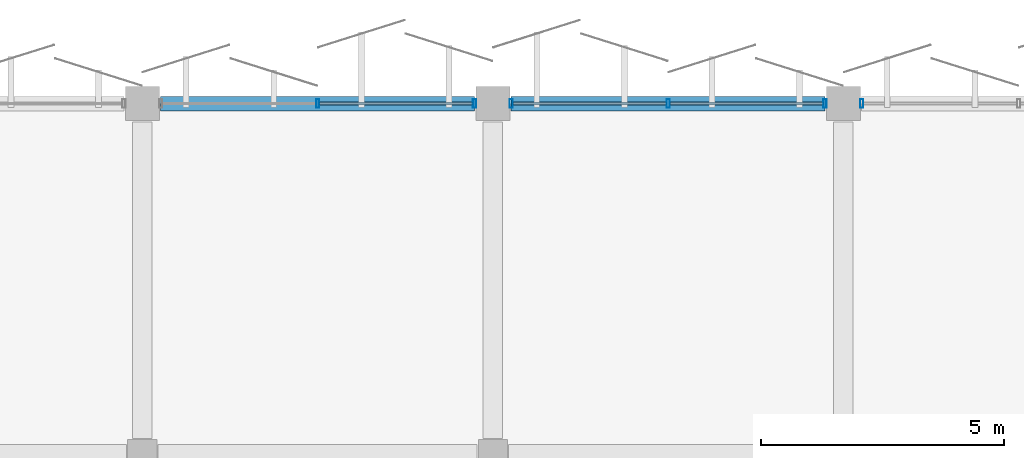
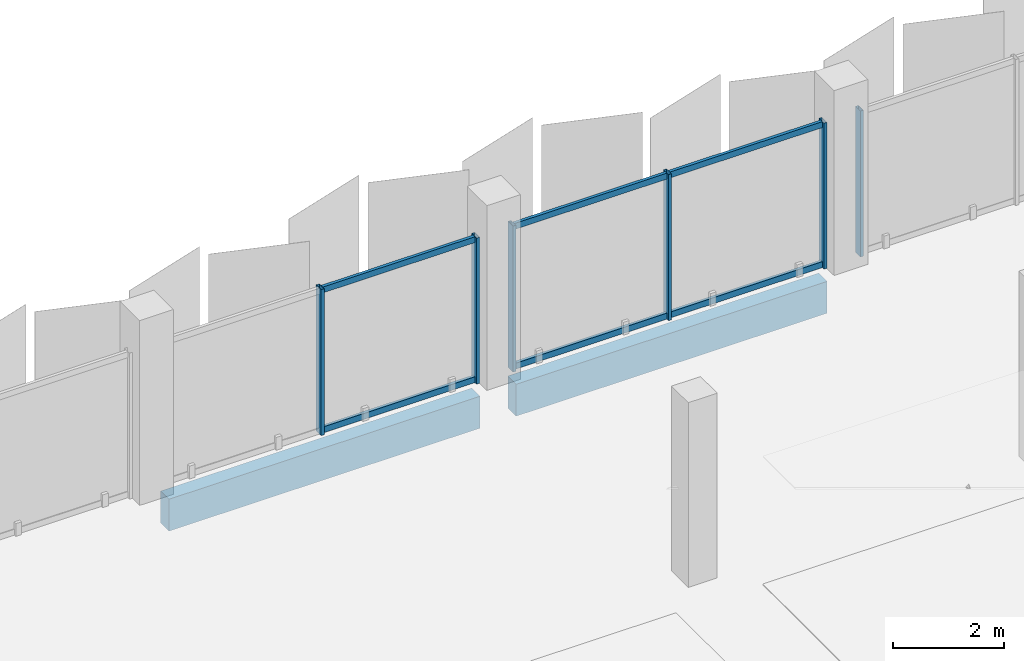
# One storey, part 51 of 107: 12 members, 2 beams, 3 elements without a shape of their own.
"""IFC4 building model written with IfcOpenShell, lengths in metres."""

from ifc_helpers import new_model, si_unit, direction, frame, origin, origin_2d, place, context, subcontext, project, spatial, rectangle, hollow_rectangle, extrude, material, layer, layer_set, material_profile, profile_set, type_object, element, aggregate, save


model = new_model("IFC4")

# Units and contexts
model_context = context("Model", 3, precision=1e-05, world=origin(), true_north=direction((0.0, 1.0)))
body_context = subcontext(model_context, "Body", "Model", "MODEL_VIEW")
ifc_project = project(units=[si_unit("LENGTHUNIT", "METRE"), si_unit("AREAUNIT", "SQUARE_METRE"), si_unit("VOLUMEUNIT", "CUBIC_METRE"), si_unit("PLANEANGLEUNIT", "RADIAN"), si_unit("MASSUNIT", "GRAM", prefix="KILO")], contexts=[model_context])

# Site, building, storey
site_placement = place(None, origin())
site = spatial("IfcSite", under=ifc_project, at=site_placement, CompositionType="ELEMENT")
building_placement = place(site_placement, origin())
building = spatial("IfcBuilding", under=site, at=building_placement, Name="Kangsadwip Square Police Headquarters", CompositionType="ELEMENT")
storey_placement = place(building_placement, frame((0.0, 0.0, 5.39990234375)))
storey = spatial("IfcBuildingStorey", under=building, at=storey_placement, Name="L01", CompositionType="ELEMENT", Elevation=5.39990234375)

# Curtain wall, members
ifc_material_1 = material(Name="Thermally broken anodised aluminium AW-6063-T6", Category="aluminium")
ifc_layer = layer(ifc_material_1, 0.159912109375)
ifc_layer_set = layer_set([ifc_layer], Name="Thermally broken anodised aluminium AW-6063-T6")
curtain_wall_type = type_object("IfcCurtainWallType", Name="UnitisedCw6510x3200", PredefinedType="NOTDEFINED", material=ifc_layer_set)
curtain_wall_1_placement = place(storey_placement, origin())
curtain_wall_1 = element("IfcCurtainWall", 1, at=curtain_wall_1_placement, inside=storey, type_object=curtain_wall_type, Name="Curtain Wall CW-L01-1083-1152", PredefinedType="NOTDEFINED")
ifc_material_2 = material(Name="Thermally broken anodised aluminium AW-6063-T6", Category="aluminium")
ifc_material_profile_1 = material_profile(ifc_material_2, hollow_rectangle(XDim=0.06494140625, YDim=0.179931640625, WallThickness=0.00390625, at=origin_2d()), Name="CWM 180X65X4")
ifc_profile_set_1 = profile_set([ifc_material_profile_1], Name="Thermally broken anodised aluminium AW-6063-T6")
member_type_1 = type_object("IfcMemberType", Name="CwMullion160x65", PredefinedType="MULLION", material=ifc_profile_set_1)
member_1_placement = place(storey_placement, frame((111.60009765625, 115.199951171875, 0.0), z_axis=(0.0, 0.0, 1.0), x_axis=(1.0, 0.0, 0.0)))
member_1 = element("IfcMember", 2, at=member_1_placement, type_object=member_type_1, Name="CW-24 mullion 2", PredefinedType="MULLION", context=body_context, shape_type="SweptSolid", body=[
    extrude(hollow_rectangle(XDim=0.06494140625, YDim=0.179931640625, WallThickness=0.00390625, at=origin_2d()), origin(), (0.0, 0.0, 1.0), 3.2001953125),
])
member_2_placement = place(storey_placement, frame((114.822509765625, 115.199951171875, 0.0), z_axis=(0.0, 0.0, 1.0), x_axis=(1.0, 0.0, 0.0)))
member_2 = element("IfcMember", 3, at=member_2_placement, type_object=member_type_1, Name="CW-24 mullion 3", PredefinedType="MULLION", context=body_context, shape_type="SweptSolid", body=[
    extrude(hollow_rectangle(XDim=0.06494140625, YDim=0.179931640625, WallThickness=0.00390625, at=origin_2d()), origin(), (0.0, 0.0, 1.0), 3.2001953125),
])

curtain_wall_2_placement = place(storey_placement, origin())
curtain_wall_2 = element("IfcCurtainWall", 4, at=curtain_wall_2_placement, inside=storey, type_object=curtain_wall_type, Name="Curtain Wall CW-L01-1155-1152", PredefinedType="NOTDEFINED")
member_3_placement = place(storey_placement, frame((115.577392578125, 115.199951171875, 0.0), z_axis=(0.0, 0.0, 1.0), x_axis=(1.0, 0.0, 0.0)))
member_3 = element("IfcMember", 5, at=member_3_placement, type_object=member_type_1, Name="CW-24 mullion 1", PredefinedType="MULLION", context=body_context, shape_type="SweptSolid", body=[
    extrude(hollow_rectangle(XDim=0.06494140625, YDim=0.179931640625, WallThickness=0.00390625, at=origin_2d()), origin(), (0.0, 0.0, 1.0), 3.2001953125),
])
member_4_placement = place(storey_placement, frame((118.800048828125, 115.199951171875, 0.0), z_axis=(0.0, 0.0, 1.0), x_axis=(1.0, 0.0, 0.0)))
member_4 = element("IfcMember", 6, at=member_4_placement, type_object=member_type_1, Name="CW-24 mullion 2", PredefinedType="MULLION", context=body_context, shape_type="SweptSolid", body=[
    extrude(hollow_rectangle(XDim=0.06494140625, YDim=0.179931640625, WallThickness=0.00390625, at=origin_2d()), origin(), (0.0, 0.0, 1.0), 3.2001953125),
])
member_5_placement = place(storey_placement, frame((122.0224609375, 115.199951171875, 0.0), z_axis=(0.0, 0.0, 1.0), x_axis=(1.0, 0.0, 0.0)))
member_5 = element("IfcMember", 7, at=member_5_placement, type_object=member_type_1, Name="CW-24 mullion 3", PredefinedType="MULLION", context=body_context, shape_type="SweptSolid", body=[
    extrude(hollow_rectangle(XDim=0.06494140625, YDim=0.179931640625, WallThickness=0.00390625, at=origin_2d()), origin(), (0.0, 0.0, 1.0), 3.2001953125),
])

# Curtain wall, member
curtain_wall_3_placement = place(storey_placement, origin())
curtain_wall_3 = element("IfcCurtainWall", 8, at=curtain_wall_3_placement, inside=storey, type_object=curtain_wall_type, Name="Curtain Wall CW-L01-1227-1152", PredefinedType="NOTDEFINED")
member_6_placement = place(storey_placement, frame((122.777587890625, 115.199951171875, 0.0), z_axis=(0.0, 0.0, 1.0), x_axis=(1.0, 0.0, 0.0)))
member_6 = element("IfcMember", 9, at=member_6_placement, type_object=member_type_1, Name="CW-24 mullion 1", PredefinedType="MULLION", context=body_context, shape_type="SweptSolid", body=[
    extrude(hollow_rectangle(XDim=0.06494140625, YDim=0.179931640625, WallThickness=0.00390625, at=origin_2d()), origin(), (0.0, 0.0, 1.0), 3.2001953125),
])
aggregate(curtain_wall_3, [member_6])

# Member
ifc_material_3 = material(Name="Thermally broken anodised aluminium AW-6063-T6", Category="aluminium")
ifc_material_profile_2 = material_profile(ifc_material_3, hollow_rectangle(XDim=0.06494140625, YDim=0.1298828125, WallThickness=0.00390625, at=origin_2d()), Name="CWT 130X65X4")
ifc_profile_set_2 = profile_set([ifc_material_profile_2], Name="Thermally broken anodised aluminium AW-6063-T6")
member_type_2 = type_object("IfcMemberType", Name="CwTransom140x60", PredefinedType="USERDEFINED", material=ifc_profile_set_2)
member_7_placement = place(storey_placement, frame((111.632568359375, 115.199951171875, 0.065185546875), z_axis=(1.0, 0.0, 0.0), x_axis=(0.0, 1.0, 0.0)))
member_7 = element("IfcMember", 10, at=member_7_placement, type_object=member_type_2, Name="CW-24 transom 2.1", ObjectType="TRANSOM", PredefinedType="USERDEFINED", context=body_context, shape_type="SweptSolid", body=[
    extrude(hollow_rectangle(XDim=0.06494140625, YDim=0.1298828125, WallThickness=0.00390625, at=origin_2d()), origin(), (0.0, 0.0, 1.0), 3.157470703125),
])

member_8_placement = place(storey_placement, frame((111.632568359375, 115.199951171875, 3.135009765625), z_axis=(1.0, 0.0, 0.0), x_axis=(0.0, 1.0, 0.0)))
member_8 = element("IfcMember", 11, at=member_8_placement, type_object=member_type_2, Name="CW-24 transom 2.2", ObjectType="TRANSOM", PredefinedType="USERDEFINED", context=body_context, shape_type="SweptSolid", body=[
    extrude(hollow_rectangle(XDim=0.06494140625, YDim=0.1298828125, WallThickness=0.00390625, at=origin_2d()), origin(), (0.0, 0.0, 1.0), 3.157470703125),
])

aggregate(curtain_wall_1, [member_1, member_2, member_7, member_8])

member_9_placement = place(storey_placement, frame((115.610107421875, 115.199951171875, 0.065185546875), z_axis=(1.0, 0.0, 0.0), x_axis=(0.0, 1.0, 0.0)))
member_9 = element("IfcMember", 12, at=member_9_placement, type_object=member_type_2, Name="CW-24 transom 1.1", ObjectType="TRANSOM", PredefinedType="USERDEFINED", context=body_context, shape_type="SweptSolid", body=[
    extrude(hollow_rectangle(XDim=0.06494140625, YDim=0.1298828125, WallThickness=0.00390625, at=origin_2d()), origin(), (0.0, 0.0, 1.0), 3.157470703125),
])

member_10_placement = place(storey_placement, frame((115.610107421875, 115.199951171875, 3.135009765625), z_axis=(1.0, 0.0, 0.0), x_axis=(0.0, 1.0, 0.0)))
member_10 = element("IfcMember", 13, at=member_10_placement, type_object=member_type_2, Name="CW-24 transom 1.2", ObjectType="TRANSOM", PredefinedType="USERDEFINED", context=body_context, shape_type="SweptSolid", body=[
    extrude(hollow_rectangle(XDim=0.06494140625, YDim=0.1298828125, WallThickness=0.00390625, at=origin_2d()), origin(), (0.0, 0.0, 1.0), 3.157470703125),
])

member_11_placement = place(storey_placement, frame((118.83251953125, 115.199951171875, 0.065185546875), z_axis=(1.0, 0.0, 0.0), x_axis=(0.0, 1.0, 0.0)))
member_11 = element("IfcMember", 14, at=member_11_placement, type_object=member_type_2, Name="CW-24 transom 2.1", ObjectType="TRANSOM", PredefinedType="USERDEFINED", context=body_context, shape_type="SweptSolid", body=[
    extrude(hollow_rectangle(XDim=0.06494140625, YDim=0.1298828125, WallThickness=0.00390625, at=origin_2d()), origin(), (0.0, 0.0, 1.0), 3.157470703125),
])

member_12_placement = place(storey_placement, frame((118.83251953125, 115.199951171875, 3.135009765625), z_axis=(1.0, 0.0, 0.0), x_axis=(0.0, 1.0, 0.0)))
member_12 = element("IfcMember", 15, at=member_12_placement, type_object=member_type_2, Name="CW-24 transom 2.2", ObjectType="TRANSOM", PredefinedType="USERDEFINED", context=body_context, shape_type="SweptSolid", body=[
    extrude(hollow_rectangle(XDim=0.06494140625, YDim=0.1298828125, WallThickness=0.00390625, at=origin_2d()), origin(), (0.0, 0.0, 1.0), 3.157470703125),
])

aggregate(curtain_wall_2, [member_3, member_4, member_5, member_9, member_10, member_11, member_12])

# Beams
ifc_material_4 = material(Name="Concrete M40 (40 MPa)", Category="concrete")
ifc_material_profile_3 = material_profile(ifc_material_4, rectangle(XDim=0.300048828125, YDim=0.699951171875, at=origin_2d()), Name="RC SPN 700X300")
ifc_profile_set_3 = profile_set([ifc_material_profile_3], Name="Concrete M40 (40 MPa)")
beam_type = type_object("IfcBeamType", Name="RcSpandrel700x300", PredefinedType="SPANDREL", material=ifc_profile_set_3)
for number, where, z_axis, x_axis, name in (
    (16, (108.375, 115.199951171875, -0.58984375), (1.0, 0.0, 0.0), (0.0, 1.0, 0.0), "Beam BM-L01-X-15-16"),
    (17, (115.574951171875, 115.199951171875, -0.58984375), (1.0, 0.0, 0.0), (0.0, 1.0, 0.0), "Beam BM-L01-X-16-16"),
):
    element("IfcBeam", number, at=place(storey_placement, frame(where, z_axis=z_axis, x_axis=x_axis)), inside=storey, type_object=beam_type, Name=name, PredefinedType="SPANDREL", context=body_context, shape_type="SweptSolid", body=[
        extrude(rectangle(XDim=0.300048828125, YDim=0.699951171875, at=origin_2d()), origin(), (0.0, 0.0, 1.0), 6.449951171875),
    ])

save(model, "model.ifc")
